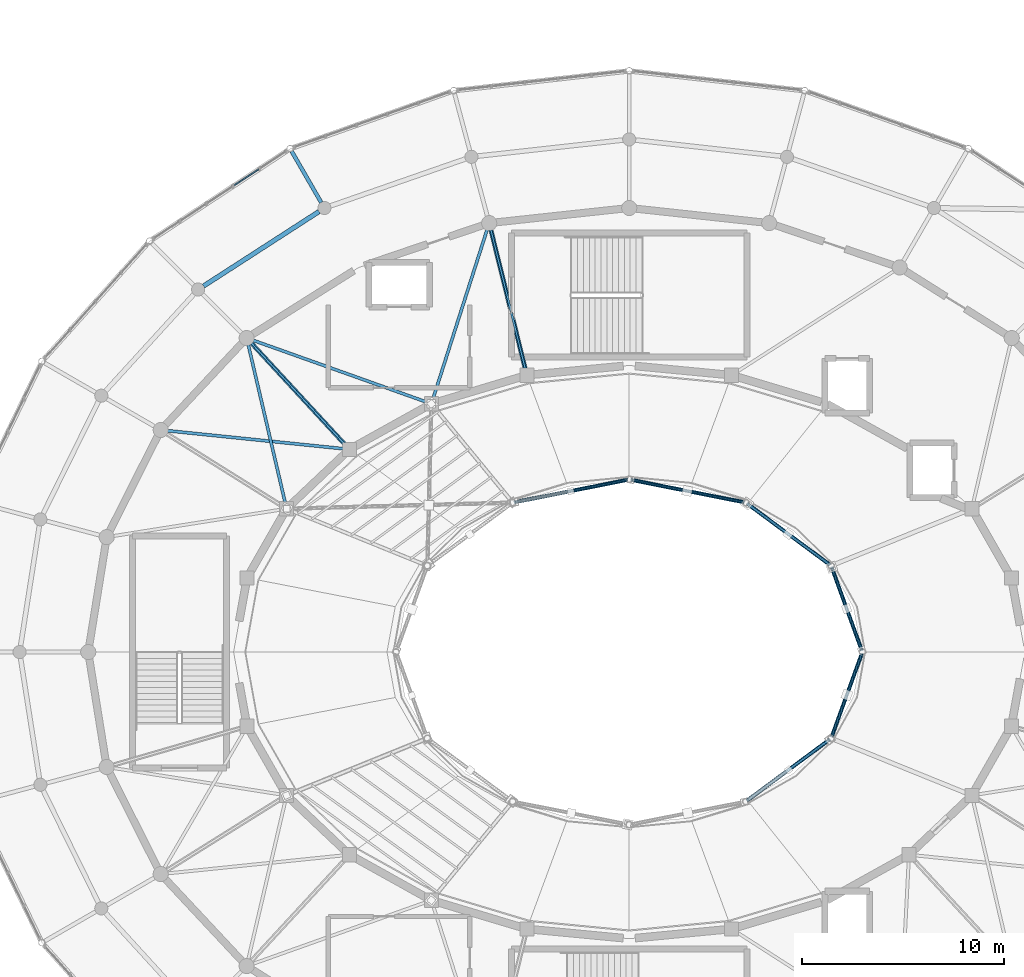
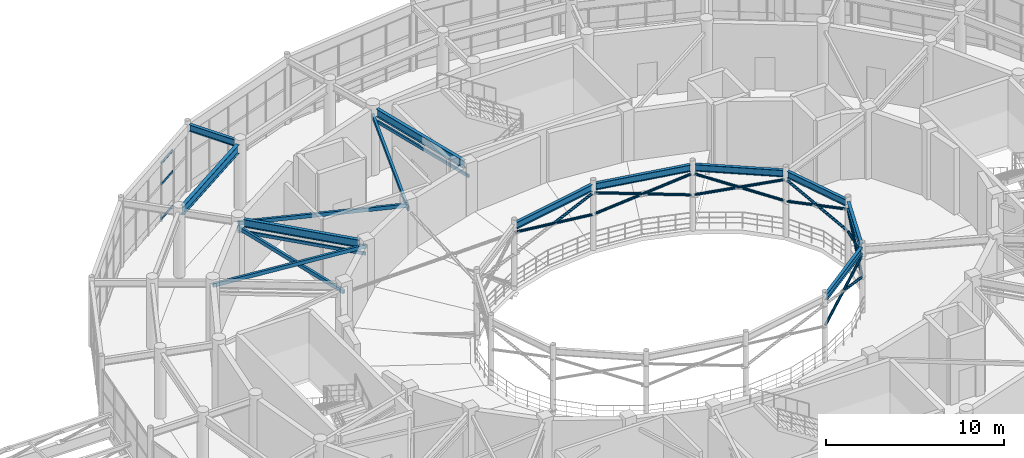
# One storey, part 41 of 144: 25 members, 10 beams, 1 element without a shape of its own.
"""IFC4 building model written with IfcOpenShell, lengths in metres."""

from ifc_helpers import new_model, si_unit, direction, frame, origin, origin_2d, place, context, subcontext, project, spatial, rectangle, hollow_rectangle, hollow_circle, i_section, extrude, material, material_profile, profile_set, type_object, element, aggregate, save


model = new_model("IFC4")

# Units and contexts
model_context = context("Model", 3, precision=1e-05, world=origin(), true_north=direction((0.0, 1.0)))
body_context = subcontext(model_context, "Body", "Model", "MODEL_VIEW")
ifc_project = project(units=[si_unit("LENGTHUNIT", "METRE"), si_unit("AREAUNIT", "SQUARE_METRE"), si_unit("VOLUMEUNIT", "CUBIC_METRE"), si_unit("PLANEANGLEUNIT", "RADIAN"), si_unit("MASSUNIT", "GRAM", prefix="KILO")], contexts=[model_context])

# Site, building, storey
site_placement = place(None, origin())
site = spatial("IfcSite", under=ifc_project, at=site_placement, CompositionType="ELEMENT")
building_placement = place(site_placement, origin())
building = spatial("IfcBuilding", under=site, at=building_placement, Name="Cinderbank Siding Concert Hall", CompositionType="ELEMENT")
storey_placement = place(building_placement, frame((0.0, 0.0, 5.39990234375)))
storey = spatial("IfcBuildingStorey", under=building, at=storey_placement, Name="L02", CompositionType="ELEMENT", Elevation=5.39990234375)

# Beams
ifc_material_1 = material(Name="Structural steel AS/NZS 3679.1 Grade 350 (340 MPa)", Category="steel")
ifc_material_profile_1 = material_profile(ifc_material_1, i_section(OverallWidth=0.18994140625, OverallDepth=0.45751953125, WebThickness=0.009033203125, FlangeThickness=0.014404296875, at=origin_2d()), Name="460UB74.6", Category="LoadBearing")
ifc_profile_set_1 = profile_set([ifc_material_profile_1], Name="Structural steel AS/NZS 3679.1 Grade 350 (340 MPa)")
beam_type_1 = type_object("IfcBeamType", Name="BM-UB460 460UB74.6", PredefinedType="BEAM", material=ifc_profile_set_1)
beam_1_placement = place(storey_placement, frame((133.49755859375, 44.144775390625, 4.29345703125), z_axis=(-0.340369084131, 0.940291915613, 0.0), x_axis=(-0.940291915613, -0.340369084131, 0.0)))
element("IfcBeam", 1, at=beam_1_placement, inside=storey, type_object=beam_type_1, Name="L02 Beam BM-UB460 #162", PredefinedType="BEAM", context=body_context, shape_type="SweptSolid", body=[
    extrude(i_section(OverallWidth=0.18994140625, OverallDepth=0.45751953125, WebThickness=0.009033203125, FlangeThickness=0.014404296875, at=origin_2d()), origin(), (0.0, 0.0, 1.0), 4.238525390625),
])
beam_2_placement = place(storey_placement, frame((131.87890625, 48.36669921875, 4.29345703125), z_axis=(-0.803752781555, 0.594963415801, 0.0), x_axis=(-0.594963415801, -0.803752781555, 0.0)))
element("IfcBeam", 2, at=beam_2_placement, inside=storey, type_object=beam_type_1, Name="L02 Beam BM-UB460 #163", PredefinedType="BEAM", context=body_context, shape_type="SweptSolid", body=[
    extrude(i_section(OverallWidth=0.18994140625, OverallDepth=0.45751953125, WebThickness=0.009033203125, FlangeThickness=0.014404296875, at=origin_2d()), origin(), (0.0, 0.0, 1.0), 4.9521484375),
])
for number, where, z_axis, x_axis, name in (
    (3, (127.6240234375, 51.4345703125, 4.29345703125), (-0.980895780778, 0.194533974545, 0.0), (-0.194533974545, -0.980895780778, 0.0), "L02 Beam BM-UB460 #165"),
    (4, (121.84912109375, 52.52001953125, 4.29345703125), (-0.980895780778, -0.194533974545, 0.0), (0.194533974545, -0.980895780778, 0.0), "L02 Beam BM-UB460 #166"),
):
    element("IfcBeam", number, at=place(storey_placement, frame(where, z_axis=z_axis, x_axis=x_axis)), inside=storey, type_object=beam_type_1, Name=name, PredefinedType="BEAM", context=body_context, shape_type="SweptSolid", body=[
        extrude(i_section(OverallWidth=0.18994140625, OverallDepth=0.45751953125, WebThickness=0.009033203125, FlangeThickness=0.014404296875, at=origin_2d()), origin(), (0.0, 0.0, 1.0), 5.579833984375),
    ])
beam_3_placement = place(storey_placement, frame((127.898681640625, 36.68701171875, 4.29345703125), z_axis=(0.803752781555, 0.594963415801, 0.0), x_axis=(-0.594963415801, 0.803752781555, 0.0)))
element("IfcBeam", 5, at=beam_3_placement, inside=storey, type_object=beam_type_1, Name="L02 Beam BM-UB460 #173", PredefinedType="BEAM", context=body_context, shape_type="SweptSolid", body=[
    extrude(i_section(OverallWidth=0.18994140625, OverallDepth=0.45751953125, WebThickness=0.009033203125, FlangeThickness=0.014404296875, at=origin_2d()), origin(), (0.0, 0.0, 1.0), 4.9521484375),
])
beam_4_placement = place(storey_placement, frame((132.054931640625, 39.869873046875, 4.29345703125), z_axis=(0.340369084131, 0.940291915613, 0.0), x_axis=(-0.940291915613, 0.340369084131, 0.0)))
element("IfcBeam", 6, at=beam_4_placement, inside=storey, type_object=beam_type_1, Name="L02 Beam BM-UB460 #174", PredefinedType="BEAM", context=body_context, shape_type="SweptSolid", body=[
    extrude(i_section(OverallWidth=0.18994140625, OverallDepth=0.45751953125, WebThickness=0.009033203125, FlangeThickness=0.014404296875, at=origin_2d()), origin(), (0.0, 0.0, 1.0), 4.238525390625),
])
ifc_material_profile_2 = material_profile(ifc_material_1, i_section(OverallWidth=0.19091796875, OverallDepth=0.46044921875, WebThickness=0.010009765625, FlangeThickness=0.01611328125, at=origin_2d()), Name="460UB82.1", Category="LoadBearing")
ifc_profile_set_2 = profile_set([ifc_material_profile_2], Name="Structural steel AS/NZS 3679.1 Grade 350 (340 MPa)")
beam_type_2 = type_object("IfcBeamType", Name="BM-UB460H 460UB82.1", PredefinedType="BEAM", material=ifc_profile_set_2)
beam_5_placement = place(storey_placement, frame((106.741455078125, 66.271484375, 4.331787109375), z_axis=(-0.499958157915, 0.866049559976, 0.0), x_axis=(-0.866049559976, -0.499958157915, 0.0)))
element("IfcBeam", 7, at=beam_5_placement, inside=storey, type_object=beam_type_2, Name="L02 Beam BM-UB460H #529", PredefinedType="BEAM", context=body_context, shape_type="SweptSolid", body=[
    extrude(i_section(OverallWidth=0.19091796875, OverallDepth=0.46044921875, WebThickness=0.010009765625, FlangeThickness=0.01611328125, at=origin_2d()), origin(), (0.0, 0.0, 1.0), 2.928955078125),
])
ifc_material_profile_3 = material_profile(ifc_material_1, i_section(OverallWidth=0.208984375, OverallDepth=0.532958984375, WebThickness=0.01025390625, FlangeThickness=0.015625, at=origin_2d()), Name="530UB92.4", Category="LoadBearing")
ifc_profile_set_3 = profile_set([ifc_material_profile_3], Name="Structural steel AS/NZS 3679.1 Grade 350 (340 MPa)")
beam_type_3 = type_object("IfcBeamType", Name="BM-UB530H 530UB92.4", PredefinedType="BEAM", material=ifc_profile_set_3)
beam_6_placement = place(storey_placement, frame((116.844970703125, 58.048095703125, 4.28564453125), z_axis=(-0.240115631411, 0.970744293598, 0.0), x_axis=(-0.970744293598, -0.240115631411, 0.0)))
element("IfcBeam", 8, at=beam_6_placement, inside=storey, type_object=beam_type_3, Name="L02 Beam BM-UB530H #487", PredefinedType="BEAM", context=body_context, shape_type="SweptSolid", body=[
    extrude(i_section(OverallWidth=0.208984375, OverallDepth=0.532958984375, WebThickness=0.01025390625, FlangeThickness=0.015625, at=origin_2d()), origin(), (0.0, 0.0, 1.0), 7.05224609375),
])
beam_7_placement = place(storey_placement, frame((107.90869140625, 54.292236328125, 4.28564453125), z_axis=(-0.67829203735, 0.734792427879, 0.0), x_axis=(-0.734792427879, -0.67829203735, 0.0)))
element("IfcBeam", 9, at=beam_7_placement, inside=storey, type_object=beam_type_3, Name="L02 Beam BM-UB530H #488", PredefinedType="BEAM", context=body_context, shape_type="SweptSolid", body=[
    extrude(i_section(OverallWidth=0.208984375, OverallDepth=0.532958984375, WebThickness=0.01025390625, FlangeThickness=0.015625, at=origin_2d()), origin(), (0.0, 0.0, 1.0), 6.797119140625),
])
ifc_material_profile_4 = material_profile(ifc_material_1, i_section(OverallWidth=0.22802734375, OverallDepth=0.60693359375, WebThickness=0.01123046875, FlangeThickness=0.017333984375, at=origin_2d()), Name="610UB113", Category="LoadBearing")
ifc_profile_set_4 = profile_set([ifc_material_profile_4], Name="Structural steel AS/NZS 3679.1 Grade 350 (340 MPa)")
beam_type_4 = type_object("IfcBeamType", Name="BM-UB610M 610UB113", PredefinedType="BEAM", material=ifc_profile_set_4)
beam_8_placement = place(storey_placement, frame((106.6337890625, 65.8251953125, 4.218505859375), z_axis=(-0.840219727246, -0.542246078775, 0.0), x_axis=(0.542246078775, -0.840219727246, 0.0)))
element("IfcBeam", 10, at=beam_8_placement, inside=storey, type_object=beam_type_4, Name="L02 Beam BM-UB610M #448", PredefinedType="BEAM", context=body_context, shape_type="SweptSolid", body=[
    extrude(i_section(OverallWidth=0.22802734375, OverallDepth=0.60693359375, WebThickness=0.01123046875, FlangeThickness=0.017333984375, at=origin_2d()), origin(), (0.0, 0.0, 1.0), 6.810302734375),
])

# Members
ifc_material_2 = material(Name="Structural steel hollow section AS/NZS 1163 Grade C350L0 (350 MPa)", Category="steel")
ifc_material_profile_5 = material_profile(ifc_material_2, hollow_circle(Radius=0.084228515625, WallThickness=0.007080078125, at=origin_2d()), Name="168.3x7.1CHS", Category="LoadBearing")
ifc_profile_set_5 = profile_set([ifc_material_profile_5], Name="Structural steel hollow section AS/NZS 1163 Grade C350L0 (350 MPa)")
member_type_1 = type_object("IfcMemberType", Name="BR-CHS168 168.3x7.1CHS Roof Truss", PredefinedType="BRACE", material=ifc_profile_set_5)
member_1_placement = place(storey_placement, frame((133.522705078125, 44.0751953125, 2.400146484375), z_axis=(-0.323374434675, 0.893391283629, 0.311899005022), x_axis=(-0.940297792876, -0.340352847368, 0.0)))
element("IfcMember", 11, at=member_1_placement, inside=storey, type_object=member_type_1, Name="L02 Diagonal Brace BR-CHS168 #RKCR-BR-CHS168-L02-2046", PredefinedType="BRACE", context=body_context, shape_type="SweptSolid", body=[
    extrude(hollow_circle(Radius=0.084228515625, WallThickness=0.007080078125, at=origin_2d()), origin(), (0.0, 0.0, 1.0), 4.61669921875),
])
member_2_placement = place(storey_placement, frame((132.02978515625, 48.19970703125, 2.400146484375), z_axis=(0.32341115853, -0.893372759179, 0.311913987654), x_axis=(0.940283163475, 0.340393261515, 0.0)))
element("IfcMember", 12, at=member_2_placement, inside=storey, type_object=member_type_1, Name="L02 Diagonal Brace BR-CHS168 #RKCR-BR-CHS168-L02-2047", PredefinedType="BRACE", context=body_context, shape_type="SweptSolid", body=[
    extrude(hollow_circle(Radius=0.084228515625, WallThickness=0.007080078125, at=origin_2d()), origin(), (0.0, 0.0, 1.0), 2.29345703125),
])
member_3_placement = place(storey_placement, frame((132.78125, 46.1240234375, 3.124755859375), z_axis=(0.323315832989, -0.893403513482, 0.311924725274), x_axis=(0.940319021483, 0.34029419307, 0.0)))
element("IfcMember", 13, at=member_3_placement, inside=storey, type_object=member_type_1, Name="L02 Diagonal Brace BR-CHS168 #RKCR-BR-CHS168-L02-2047-S177", PredefinedType="BRACE", context=body_context, shape_type="SweptSolid", body=[
    extrude(hollow_circle(Radius=0.084228515625, WallThickness=0.007080078125, at=origin_2d()), origin(), (0.0, 0.0, 1.0), 2.293212890625),
])
member_4_placement = place(storey_placement, frame((131.938232421875, 48.322509765625, 2.400146484375), z_axis=(-0.773483829379, 0.57261483801, 0.271725988783), x_axis=(-0.595001989932, -0.803724226322, 0.0)))
element("IfcMember", 14, at=member_4_placement, inside=storey, type_object=member_type_1, Name="L02 Diagonal Brace BR-CHS168 #RKCR-BR-CHS168-L02-2048", PredefinedType="BRACE", context=body_context, shape_type="SweptSolid", body=[
    extrude(hollow_circle(Radius=0.084228515625, WallThickness=0.007080078125, at=origin_2d()), origin(), (0.0, 0.0, 1.0), 5.29931640625),
])
member_5_placement = place(storey_placement, frame((127.83935546875, 51.35693359375, 2.400146484375), z_axis=(0.773503697063, -0.572598459824, 0.271703946303), x_axis=(0.59498112384, 0.803739673199, 0.0)))
element("IfcMember", 15, at=member_5_placement, inside=storey, type_object=member_type_1, Name="L02 Diagonal Brace BR-CHS168 #RKCR-BR-CHS168-L02-2049", PredefinedType="BRACE", context=body_context, shape_type="SweptSolid", body=[
    extrude(hollow_circle(Radius=0.084228515625, WallThickness=0.007080078125, at=origin_2d()), origin(), (0.0, 0.0, 1.0), 2.634521484375),
])
member_6_placement = place(storey_placement, frame((129.900390625, 49.831298828125, 3.124267578125), z_axis=(0.773462653494, -0.572660740217, 0.271689529177), x_axis=(0.595043322136, 0.803693626192, 0.0)))
element("IfcMember", 16, at=member_6_placement, inside=storey, type_object=member_type_1, Name="L02 Diagonal Brace BR-CHS168 #RKCR-BR-CHS168-L02-2049-S178", PredefinedType="BRACE", context=body_context, shape_type="SweptSolid", body=[
    extrude(hollow_circle(Radius=0.084228515625, WallThickness=0.007080078125, at=origin_2d()), origin(), (0.0, 0.0, 1.0), 2.634765625),
])
member_7_placement = place(storey_placement, frame((127.696533203125, 51.420166015625, 2.400146484375), z_axis=(-0.95128806538, 0.188678402955, 0.243826735457), x_axis=(-0.194550158365, -0.980892571019, 0.0)))
element("IfcMember", 17, at=member_7_placement, inside=storey, type_object=member_type_1, Name="L02 Diagonal Brace BR-CHS168 #RKCR-BR-CHS168-L02-2050", PredefinedType="BRACE", context=body_context, shape_type="SweptSolid", body=[
    extrude(hollow_circle(Radius=0.084228515625, WallThickness=0.007080078125, at=origin_2d()), origin(), (0.0, 0.0, 1.0), 5.905517578125),
])
for number, where, z_axis, x_axis, name in (
    (18, (122.07861328125, 52.534423828125, 2.400146484375), (0.951279182197, -0.18872674262, 0.243823981879), (0.19459986347, 0.980882711203, 0.0), "L02 Diagonal Brace BR-CHS168 #RKCR-BR-CHS168-L02-2051"),
    (19, (124.90185546875, 51.974365234375, 3.123779296875), (0.951294098882, -0.188646597752, 0.2438278052), (0.194517417313, 0.980899064309, 0.0), "L02 Diagonal Brace BR-CHS168 #RKCR-BR-CHS168-L02-2051-S179"),
):
    element("IfcMember", number, at=place(storey_placement, frame(where, z_axis=z_axis, x_axis=x_axis)), inside=storey, type_object=member_type_1, Name=name, PredefinedType="BRACE", context=body_context, shape_type="SweptSolid", body=[
        extrude(hollow_circle(Radius=0.084228515625, WallThickness=0.007080078125, at=origin_2d()), origin(), (0.0, 0.0, 1.0), 2.937744140625),
    ])
member_8_placement = place(storey_placement, frame((121.92138671875, 52.534423828125, 2.400146484375), z_axis=(-0.95128806538, -0.188678402955, 0.243826735457), x_axis=(0.194550158365, -0.980892571019, 0.0)))
element("IfcMember", 20, at=member_8_placement, inside=storey, type_object=member_type_1, Name="L02 Diagonal Brace BR-CHS168 #RKCR-BR-CHS168-L02-2052", PredefinedType="BRACE", context=body_context, shape_type="SweptSolid", body=[
    extrude(hollow_circle(Radius=0.084228515625, WallThickness=0.007080078125, at=origin_2d()), origin(), (0.0, 0.0, 1.0), 5.905517578125),
])
member_9_placement = place(storey_placement, frame((119.126708984375, 51.97998046875, 3.123779296875), z_axis=(0.951279182197, 0.18872674262, 0.243823981879), x_axis=(-0.19459986347, 0.980882711203, 0.0)))
element("IfcMember", 21, at=member_9_placement, inside=storey, type_object=member_type_1, Name="L02 Diagonal Brace BR-CHS168 #RKCR-BR-CHS168-L02-2053-S180", PredefinedType="BRACE", context=body_context, shape_type="SweptSolid", body=[
    extrude(hollow_circle(Radius=0.084228515625, WallThickness=0.007080078125, at=origin_2d()), origin(), (0.0, 0.0, 1.0), 2.937744140625),
])
member_10_placement = place(storey_placement, frame((127.83935546875, 36.64306640625, 2.400146484375), z_axis=(0.773483829379, 0.57261483801, 0.271725988783), x_axis=(-0.595001989932, 0.803724226322, 0.0)))
element("IfcMember", 22, at=member_10_placement, inside=storey, type_object=member_type_1, Name="L02 Diagonal Brace BR-CHS168 #RKCR-BR-CHS168-L02-2068", PredefinedType="BRACE", context=body_context, shape_type="SweptSolid", body=[
    extrude(hollow_circle(Radius=0.084228515625, WallThickness=0.007080078125, at=origin_2d()), origin(), (0.0, 0.0, 1.0), 5.29931640625),
])
member_11_placement = place(storey_placement, frame((131.938232421875, 39.677490234375, 2.400146484375), z_axis=(-0.773462653494, -0.572660740217, 0.271689529177), x_axis=(0.595043322136, -0.803693626192, 0.0)))
element("IfcMember", 23, at=member_11_placement, inside=storey, type_object=member_type_1, Name="L02 Diagonal Brace BR-CHS168 #RKCR-BR-CHS168-L02-2069", PredefinedType="BRACE", context=body_context, shape_type="SweptSolid", body=[
    extrude(hollow_circle(Radius=0.084228515625, WallThickness=0.007080078125, at=origin_2d()), origin(), (0.0, 0.0, 1.0), 2.634765625),
])
member_12_placement = place(storey_placement, frame((132.02978515625, 39.80029296875, 2.400146484375), z_axis=(0.323374434675, 0.893391283629, 0.311899005022), x_axis=(-0.940297792876, 0.340352847368, 0.0)))
element("IfcMember", 24, at=member_12_placement, inside=storey, type_object=member_type_1, Name="L02 Diagonal Brace BR-CHS168 #RKCR-BR-CHS168-L02-2070", PredefinedType="BRACE", context=body_context, shape_type="SweptSolid", body=[
    extrude(hollow_circle(Radius=0.084228515625, WallThickness=0.007080078125, at=origin_2d()), origin(), (0.0, 0.0, 1.0), 4.61669921875),
])
member_13_placement = place(storey_placement, frame((133.522705078125, 43.9248046875, 2.400146484375), z_axis=(-0.323315832989, -0.893403513482, 0.311924725274), x_axis=(0.940319021483, -0.34029419307, 0.0)))
element("IfcMember", 25, at=member_13_placement, inside=storey, type_object=member_type_1, Name="L02 Diagonal Brace BR-CHS168 #RKCR-BR-CHS168-L02-2071", PredefinedType="BRACE", context=body_context, shape_type="SweptSolid", body=[
    extrude(hollow_circle(Radius=0.084228515625, WallThickness=0.007080078125, at=origin_2d()), origin(), (0.0, 0.0, 1.0), 2.293212890625),
])
member_14_placement = place(storey_placement, frame((132.771484375, 41.84912109375, 3.124755859375), z_axis=(-0.32341115853, -0.893372759179, 0.311913987654), x_axis=(0.940283163475, -0.340393261515, 0.0)))
element("IfcMember", 26, at=member_14_placement, inside=storey, type_object=member_type_1, Name="L02 Diagonal Brace BR-CHS168 #RKCR-BR-CHS168-L02-2071-S189", PredefinedType="BRACE", context=body_context, shape_type="SweptSolid", body=[
    extrude(hollow_circle(Radius=0.084228515625, WallThickness=0.007080078125, at=origin_2d()), origin(), (0.0, 0.0, 1.0), 2.29345703125),
])

# Curtain wall, members
ifc_material_3 = material(Name="Anodised aluminium alloy 6063-T6", Category="aluminium")
curtain_wall_type = type_object("IfcCurtainWallType", Name="CW-09 Unitised Acoustic Curtain Wall 8000x3500", PredefinedType="NOTDEFINED", material=ifc_material_3)
curtain_wall_placement = place(storey_placement, origin())
curtain_wall = element("IfcCurtainWall", 27, at=curtain_wall_placement, inside=storey, type_object=curtain_wall_type, Name="L02 Curtain Wall CW-09 #9", PredefinedType="NOTDEFINED")
ifc_material_profile_6 = material_profile(ifc_material_3, rectangle(XDim=0.06494140625, YDim=0.14990234375, at=origin_2d()), Name="ALU-TRAN-65x150", Category="LoadBearing")
ifc_profile_set_6 = profile_set([ifc_material_profile_6], Name="Anodised aluminium alloy 6063-T6")
member_type_2 = type_object("IfcMemberType", Name="CW-TR2 Transom 65x150", PredefinedType="USERDEFINED", material=ifc_profile_set_6)
member_15_placement = place(storey_placement, frame((103.628662109375, 67.907958984375, 0.06005859375), z_axis=(-0.835531529407, -0.549442502331, 0.0), x_axis=(0.549442502331, -0.835531529407, 0.0)))
member_15 = element("IfcMember", 28, at=member_15_placement, type_object=member_type_2, Name="CW-L02-009 Transom 1-0", ObjectType="TRANSOM", PredefinedType="USERDEFINED", context=body_context, shape_type="SweptSolid", body=[
    extrude(rectangle(XDim=0.06494140625, YDim=0.14990234375, at=origin_2d()), origin(), (0.0, 0.0, 1.0), 1.41748046875),
])
member_16_placement = place(storey_placement, frame((103.628662109375, 67.907958984375, 2.447265625), z_axis=(-0.835531529407, -0.549442502331, 0.0), x_axis=(0.549442502331, -0.835531529407, 0.0)))
member_16 = element("IfcMember", 29, at=member_16_placement, type_object=member_type_2, Name="CW-L02-009 Transom 1-1", ObjectType="TRANSOM", PredefinedType="USERDEFINED", context=body_context, shape_type="SweptSolid", body=[
    extrude(rectangle(XDim=0.06494140625, YDim=0.14990234375, at=origin_2d()), origin(), (0.0, 0.0, 1.0), 1.41748046875),
])
member_17_placement = place(storey_placement, frame((103.628662109375, 67.907958984375, 3.88720703125), z_axis=(-0.835531529407, -0.549442502331, 0.0), x_axis=(0.549442502331, -0.835531529407, 0.0)))
member_17 = element("IfcMember", 30, at=member_17_placement, type_object=member_type_2, Name="CW-L02-009 Transom 1-2", ObjectType="TRANSOM", PredefinedType="USERDEFINED", context=body_context, shape_type="SweptSolid", body=[
    extrude(rectangle(XDim=0.06494140625, YDim=0.14990234375, at=origin_2d()), origin(), (0.0, 0.0, 1.0), 1.41748046875),
])
aggregate(curtain_wall, [member_15, member_16, member_17])

# Members
ifc_material_profile_7 = material_profile(ifc_material_2, hollow_rectangle(XDim=0.10009765625, YDim=0.199951171875, WallThickness=0.008056640625, at=origin_2d()), Name="200x100x8.0RHS", Category="LoadBearing")
ifc_profile_set_7 = profile_set([ifc_material_profile_7], Name="Structural steel hollow section AS/NZS 1163 Grade C350L0 (350 MPa)")
member_type_3 = type_object("IfcMemberType", Name="PR-RHS200 200x100x8.0RHS Roof Truss", PredefinedType="PURLIN", material=ifc_profile_set_7)
member_18_placement = place(storey_placement, frame((116.927001953125, 57.716064453125, 3.64013671875), z_axis=(-0.240070192761, 0.970755531814, 0.0), x_axis=(-0.970755531814, -0.240070192761, 0.0)))
element("IfcMember", 31, at=member_18_placement, inside=storey, type_object=member_type_3, Name="L02 Roof Truss Member PR-RHS200 #2214", PredefinedType="PURLIN", context=body_context, shape_type="SweptSolid", body=[
    extrude(hollow_rectangle(XDim=0.10009765625, YDim=0.199951171875, WallThickness=0.008056640625, at=origin_2d()), origin(), (0.0, 0.0, 1.0), 7.761474609375),
])
member_19_placement = place(storey_placement, frame((108.140625, 54.041015625, 3.64013671875), z_axis=(-0.678276049894, 0.734807185689, 0.0), x_axis=(-0.734807185689, -0.678276049894, 0.0)))
element("IfcMember", 32, at=member_19_placement, inside=storey, type_object=member_type_3, Name="L02 Roof Truss Member PR-RHS200 #2218", PredefinedType="PURLIN", context=body_context, shape_type="SweptSolid", body=[
    extrude(hollow_rectangle(XDim=0.10009765625, YDim=0.199951171875, WallThickness=0.008056640625, at=origin_2d()), origin(), (0.0, 0.0, 1.0), 7.505859375),
])
ifc_material_profile_8 = material_profile(ifc_material_2, hollow_rectangle(XDim=0.14990234375, YDim=0.25, WallThickness=0.009033203125, at=origin_2d()), Name="250x150x9.0RHS", Category="LoadBearing")
ifc_profile_set_8 = profile_set([ifc_material_profile_8], Name="Structural steel hollow section AS/NZS 1163 Grade C350L0 (350 MPa)")
member_type_4 = type_object("IfcMemberType", Name="TR-RHS250 250x150x9.0RHS Roof Truss", PredefinedType="RAFTER", material=ifc_profile_set_8)
member_20_placement = place(storey_placement, frame((112.199951171875, 56.297607421875, 3.900146484375), z_axis=(0.304664519425, 0.952459726499, 0.0), x_axis=(-0.952459726499, 0.304664519425, 0.0)))
element("IfcMember", 33, at=member_20_placement, inside=storey, type_object=member_type_4, Name="L02 Roof Truss Member TR-RHS250 #2213", PredefinedType="RAFTER", context=body_context, shape_type="SweptSolid", body=[
    extrude(hollow_rectangle(XDim=0.14990234375, YDim=0.25, WallThickness=0.009033203125, at=origin_2d()), origin(), (0.0, 0.0, 1.0), 9.399658203125),
])
member_21_placement = place(storey_placement, frame((112.199951171875, 56.297607421875, 4.18017578125), z_axis=(-0.942041785809, 0.335495564487, 0.0), x_axis=(-0.335495564487, -0.942041785809, 0.0)))
element("IfcMember", 34, at=member_21_placement, inside=storey, type_object=member_type_4, Name="L02 Roof Truss Member TR-RHS250 #2215", PredefinedType="RAFTER", context=body_context, shape_type="SweptSolid", body=[
    extrude(hollow_rectangle(XDim=0.14990234375, YDim=0.25, WallThickness=0.009033203125, at=origin_2d()), origin(), (0.0, 0.0, 1.0), 9.71337890625),
])
member_22_placement = place(storey_placement, frame((108.140625, 54.041015625, 4.18017578125), z_axis=(-0.994781438611, 0.102028865499, 0.0), x_axis=(-0.102028865499, -0.994781438611, 0.0)))
element("IfcMember", 35, at=member_22_placement, inside=storey, type_object=member_type_4, Name="L02 Roof Truss Member TR-RHS250 #2216", PredefinedType="RAFTER", context=body_context, shape_type="SweptSolid", body=[
    extrude(hollow_rectangle(XDim=0.14990234375, YDim=0.25, WallThickness=0.009033203125, at=origin_2d()), origin(), (0.0, 0.0, 1.0), 9.399169921875),
])
member_23_placement = place(storey_placement, frame((105.02587890625, 51.10009765625, 3.900146484375), z_axis=(-0.227577092084, 0.973760066525, 0.0), x_axis=(-0.973760066525, -0.227577092084, 0.0)))
element("IfcMember", 36, at=member_23_placement, inside=storey, type_object=member_type_4, Name="L02 Roof Truss Member TR-RHS250 #2217", PredefinedType="RAFTER", context=body_context, shape_type="SweptSolid", body=[
    extrude(hollow_rectangle(XDim=0.14990234375, YDim=0.25, WallThickness=0.009033203125, at=origin_2d()), origin(), (0.0, 0.0, 1.0), 8.68408203125),
])

save(model, "model.ifc")
